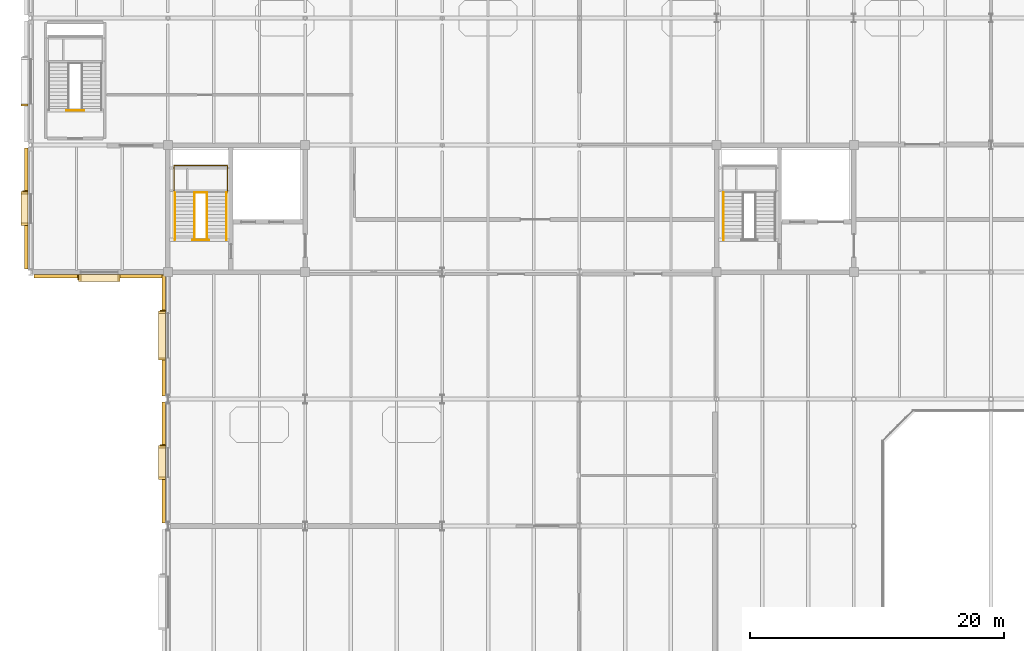
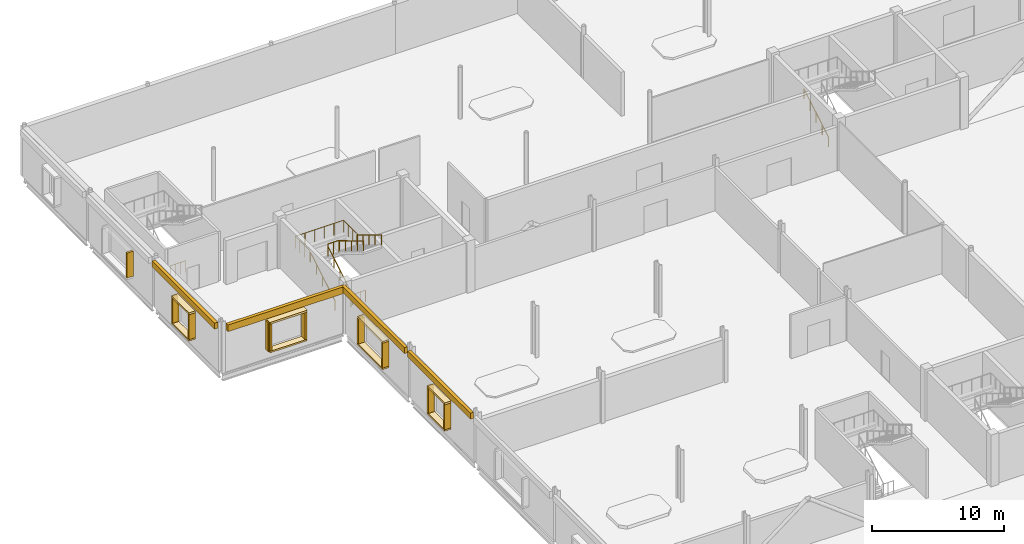
# One storey, part 88 of 92: 21 coverings, 9 railings, 4 shading devices.
"""IFC4 building model written with IfcOpenShell, lengths in metres."""

from ifc_helpers import new_model, si_unit, direction, frame, origin, origin_2d, place, context, subcontext, project, spatial, rectangle, circle, extrude, material, layer, layer_set, type_object, element, save


model = new_model("IFC4")

# Units and contexts
model_context = context("Model", 3, precision=1e-05, world=origin(), true_north=direction((0.0, 1.0)))
body_context = subcontext(model_context, "Body", "Model", "MODEL_VIEW")
ifc_project = project(units=[si_unit("LENGTHUNIT", "METRE"), si_unit("AREAUNIT", "SQUARE_METRE"), si_unit("VOLUMEUNIT", "CUBIC_METRE"), si_unit("PLANEANGLEUNIT", "RADIAN"), si_unit("MASSUNIT", "GRAM", prefix="KILO")], contexts=[model_context])

# Site, building, storey
site_placement = place(None, origin())
site = spatial("IfcSite", under=ifc_project, at=site_placement, CompositionType="ELEMENT")
building_placement = place(site_placement, origin())
building = spatial("IfcBuilding", under=site, at=building_placement, Name="Tasgan Crest Museum", CompositionType="ELEMENT")
storey_placement = place(building_placement, frame((0.0, 0.0, 4.800048828125)))
storey = spatial("IfcBuildingStorey", under=building, at=storey_placement, Name="L01", CompositionType="ELEMENT", Elevation=4.800048828125)

# Coverings
ifc_material_1 = material(Name="Honed Rose-Red Mongolian Granite", Category="masonry")
ifc_layer_1 = layer(ifc_material_1, 0.0400390625, Name="COV-GRANITE-ROSE")
ifc_layer_set_1 = layer_set([ifc_layer_1], Name="Honed Rose-Red Mongolian Granite")
covering_type_1 = type_object("IfcCoveringType", Name="COV-GRANITE-ROSE", PredefinedType="CLADDING", material=ifc_layer_set_1)
for number, where, z_axis, x_axis, name in (
    (1, (-0.5, 95.159912109375, 1.0), (0.0, 0.0, 1.0), (0.0, -1.0, 0.0), "Deep window reveal jamb L01-029"),
    (2, (-0.5, 88.239990234375, 1.0), (0.0, 0.0, 1.0), (0.0, -1.0, 0.0), "Deep window reveal jamb L01-030"),
    (3, (-0.5, 85.760009765625, 1.0), (0.0, 0.0, 1.0), (0.0, -1.0, 0.0), "Deep window reveal jamb L01-030"),
):
    element("IfcCovering", number, at=place(storey_placement, frame(where, z_axis=z_axis, x_axis=x_axis)), inside=storey, type_object=covering_type_1, Name=name, PredefinedType="CLADDING", context=body_context, shape_type="SweptSolid", body=[
        extrude(rectangle(XDim=0.179931640625, YDim=0.550048828125, at=origin_2d()), origin(), (0.0, 0.0, 1.0), 2.300048828125),
    ])
for number, where, z_axis, x_axis, name in (
    (4, (3.860107421875, 81.534912109375, 1.0), (0.0, 0.0, 1.0), (1.0, 0.0, 0.0), "Deep window reveal jamb L01-031"),
    (5, (6.93994140625, 81.534912109375, 1.0), (0.0, 0.0, 1.0), (1.0, 0.0, 0.0), "Deep window reveal jamb L01-031"),
):
    element("IfcCovering", number, at=place(storey_placement, frame(where, z_axis=z_axis, x_axis=x_axis)), inside=storey, type_object=covering_type_1, Name=name, PredefinedType="CLADDING", context=body_context, shape_type="SweptSolid", body=[
        extrude(rectangle(XDim=0.179931640625, YDim=0.550048828125, at=origin_2d()), origin(), (0.0, 0.0, 1.0), 2.5),
    ])
for number, where, z_axis, x_axis, name in (
    (6, (10.3349609375, 78.840087890625, 1.0), (0.0, 0.0, 1.0), (0.0, -1.0, 0.0), "Deep window reveal jamb L01-032"),
    (7, (10.3349609375, 75.159912109375, 1.0), (0.0, 0.0, 1.0), (0.0, -1.0, 0.0), "Deep window reveal jamb L01-032"),
    (8, (10.3349609375, 68.239990234375, 1.0), (0.0, 0.0, 1.0), (0.0, -1.0, 0.0), "Deep window reveal jamb L01-033"),
    (9, (10.3349609375, 65.760009765625, 1.0), (0.0, 0.0, 1.0), (0.0, -1.0, 0.0), "Deep window reveal jamb L01-033"),
):
    element("IfcCovering", number, at=place(storey_placement, frame(where, z_axis=z_axis, x_axis=x_axis)), inside=storey, type_object=covering_type_1, Name=name, PredefinedType="CLADDING", context=body_context, shape_type="SweptSolid", body=[
        extrude(rectangle(XDim=0.179931640625, YDim=0.550048828125, at=origin_2d()), origin(), (0.0, 0.0, 1.0), 2.300048828125),
    ])
ifc_material_2 = material(Name="Honed Buff Limestone", Category="masonry")
ifc_layer_2 = layer(ifc_material_2, 0.044921875, Name="COV-LIMESTONE-BUFF")
ifc_layer_set_2 = layer_set([ifc_layer_2], Name="Honed Buff Limestone")
covering_type_2 = type_object("IfcCoveringType", Name="COV-LIMESTONE-BUFF", PredefinedType="CLADDING", material=ifc_layer_set_2)
covering_1_placement = place(storey_placement, frame((-0.364990234375, 87.0, 3.9599609375), z_axis=(0.0, 0.0, 1.0), x_axis=(0.0, -1.0, 0.0)))
element("IfcCovering", 10, at=covering_1_placement, inside=storey, type_object=covering_type_2, Name="Stone frieze cladding L01", PredefinedType="CLADDING", context=body_context, shape_type="SweptSolid", body=[
    extrude(rectangle(XDim=9.510009765625, YDim=0.280029296875, at=origin_2d()), origin(), (0.0, 0.0, 1.0), 0.550048828125),
])
covering_2_placement = place(storey_placement, frame((-0.5, 87.0, 3.2998046875), z_axis=(0.0, 0.0, 1.0), x_axis=(0.0, -1.0, 0.0)))
element("IfcCovering", 11, at=covering_2_placement, inside=storey, type_object=covering_type_2, Name="Deep window hood L01-030", PredefinedType="CLADDING", context=body_context, shape_type="SweptSolid", body=[
    extrude(rectangle(XDim=2.659912109375, YDim=0.550048828125, at=origin_2d()), origin(), (0.0, 0.0, 1.0), 0.179931640625),
])
covering_3_placement = place(storey_placement, frame((-0.5, 87.0, 0.85986328125), z_axis=(0.0, 0.0, 1.0), x_axis=(0.0, -1.0, 0.0)))
element("IfcCovering", 12, at=covering_3_placement, inside=storey, type_object=covering_type_2, Name="Deep window sill L01-030", PredefinedType="CLADDING", context=body_context, shape_type="SweptSolid", body=[
    extrude(rectangle(XDim=2.659912109375, YDim=0.550048828125, at=origin_2d()), origin(), (0.0, 0.0, 1.0), 0.139892578125),
])
covering_4_placement = place(storey_placement, frame((5.39990234375, 81.669921875, 3.888916015625), z_axis=(0.0, 0.0, 1.0), x_axis=(1.0, 0.0, 0.0)))
element("IfcCovering", 13, at=covering_4_placement, inside=storey, type_object=covering_type_2, Name="Stone frieze cladding L01", PredefinedType="CLADDING", context=body_context, shape_type="SweptSolid", body=[
    extrude(rectangle(XDim=10.31005859375, YDim=0.280029296875, at=origin_2d()), origin(), (0.0, 0.0, 1.0), 0.62109375),
])
covering_5_placement = place(storey_placement, frame((5.39990234375, 81.534912109375, 3.5), z_axis=(0.0, 0.0, 1.0), x_axis=(1.0, 0.0, 0.0)))
element("IfcCovering", 14, at=covering_5_placement, inside=storey, type_object=covering_type_2, Name="Deep window hood L01-031", PredefinedType="CLADDING", context=body_context, shape_type="SweptSolid", body=[
    extrude(rectangle(XDim=3.260009765625, YDim=0.550048828125, at=origin_2d()), origin(), (0.0, 0.0, 1.0), 0.179931640625),
])
covering_6_placement = place(storey_placement, frame((5.39990234375, 81.534912109375, 0.85986328125), z_axis=(0.0, 0.0, 1.0), x_axis=(1.0, 0.0, 0.0)))
element("IfcCovering", 15, at=covering_6_placement, inside=storey, type_object=covering_type_2, Name="Deep window sill L01-031", PredefinedType="CLADDING", context=body_context, shape_type="SweptSolid", body=[
    extrude(rectangle(XDim=3.260009765625, YDim=0.550048828125, at=origin_2d()), origin(), (0.0, 0.0, 1.0), 0.139892578125),
])
covering_7_placement = place(storey_placement, frame((10.469970703125, 77.0, 3.9599609375), z_axis=(0.0, 0.0, 1.0), x_axis=(0.0, -1.0, 0.0)))
element("IfcCovering", 16, at=covering_7_placement, inside=storey, type_object=covering_type_2, Name="Stone frieze cladding L01", PredefinedType="CLADDING", context=body_context, shape_type="SweptSolid", body=[
    extrude(rectangle(XDim=9.510009765625, YDim=0.280029296875, at=origin_2d()), origin(), (0.0, 0.0, 1.0), 0.550048828125),
])
covering_8_placement = place(storey_placement, frame((10.3349609375, 77.0, 3.2998046875), z_axis=(0.0, 0.0, 1.0), x_axis=(0.0, -1.0, 0.0)))
element("IfcCovering", 17, at=covering_8_placement, inside=storey, type_object=covering_type_2, Name="Deep window hood L01-032", PredefinedType="CLADDING", context=body_context, shape_type="SweptSolid", body=[
    extrude(rectangle(XDim=3.860107421875, YDim=0.550048828125, at=origin_2d()), origin(), (0.0, 0.0, 1.0), 0.179931640625),
])
covering_9_placement = place(storey_placement, frame((10.3349609375, 77.0, 0.85986328125), z_axis=(0.0, 0.0, 1.0), x_axis=(0.0, -1.0, 0.0)))
element("IfcCovering", 18, at=covering_9_placement, inside=storey, type_object=covering_type_2, Name="Deep window sill L01-032", PredefinedType="CLADDING", context=body_context, shape_type="SweptSolid", body=[
    extrude(rectangle(XDim=3.860107421875, YDim=0.550048828125, at=origin_2d()), origin(), (0.0, 0.0, 1.0), 0.139892578125),
])
covering_10_placement = place(storey_placement, frame((10.469970703125, 67.0, 3.9599609375), z_axis=(0.0, 0.0, 1.0), x_axis=(0.0, -1.0, 0.0)))
element("IfcCovering", 19, at=covering_10_placement, inside=storey, type_object=covering_type_2, Name="Stone frieze cladding L01", PredefinedType="CLADDING", context=body_context, shape_type="SweptSolid", body=[
    extrude(rectangle(XDim=9.510009765625, YDim=0.280029296875, at=origin_2d()), origin(), (0.0, 0.0, 1.0), 0.550048828125),
])
covering_11_placement = place(storey_placement, frame((10.3349609375, 67.0, 3.2998046875), z_axis=(0.0, 0.0, 1.0), x_axis=(0.0, -1.0, 0.0)))
element("IfcCovering", 20, at=covering_11_placement, inside=storey, type_object=covering_type_2, Name="Deep window hood L01-033", PredefinedType="CLADDING", context=body_context, shape_type="SweptSolid", body=[
    extrude(rectangle(XDim=2.659912109375, YDim=0.550048828125, at=origin_2d()), origin(), (0.0, 0.0, 1.0), 0.179931640625),
])
covering_12_placement = place(storey_placement, frame((10.3349609375, 67.0, 0.85986328125), z_axis=(0.0, 0.0, 1.0), x_axis=(0.0, -1.0, 0.0)))
element("IfcCovering", 21, at=covering_12_placement, inside=storey, type_object=covering_type_2, Name="Deep window sill L01-033", PredefinedType="CLADDING", context=body_context, shape_type="SweptSolid", body=[
    extrude(rectangle(XDim=2.659912109375, YDim=0.550048828125, at=origin_2d()), origin(), (0.0, 0.0, 1.0), 0.139892578125),
])

# Railings
ifc_material_3 = material(Name="Brushed Bronze and Toughened Glass", Category="glass")
railing_type_1 = type_object("IfcRailingType", Name="RL-INT-GUARD-1120", PredefinedType="GUARDRAIL", material=ifc_material_3)
railing_1_placement = place(storey_placement, frame((12.739990234375, 84.52001953125, 0.0)))
element("IfcRailing", 22, at=railing_1_placement, inside=storey, type_object=railing_type_1, Name="North-West Gallery Core floor slot guard L01", PredefinedType="GUARDRAIL", context=body_context, shape_type="SweptSolid", body=[
    extrude(circle(Radius=0.02392578125, at=origin_2d()), frame((0.0, 0.0, 1.09619140625), z_axis=(1.0, 0.0, 0.0), x_axis=(0.0, 1.0, 0.0)), (0.0, 0.0, 1.0), 1.27001953125),
    extrude(circle(Radius=0.02099609375, at=origin_2d()), origin(), (0.0, 0.0, 1.0), 1.072021484375),
    extrude(circle(Radius=0.02099609375, at=origin_2d()), frame((0.42333984375, 0.0, 0.0)), (0.0, 0.0, 1.0), 1.072021484375),
    extrude(circle(Radius=0.02099609375, at=origin_2d()), frame((0.8466796875, 0.0, 0.0)), (0.0, 0.0, 1.0), 1.072021484375),
    extrude(circle(Radius=0.02099609375, at=origin_2d()), frame((1.27001953125, 0.0, 0.0)), (0.0, 0.0, 1.0), 1.072021484375),
])
railing_2_placement = place(storey_placement, frame((12.8798828125, 88.27490234375, 2.39990234375)))
element("IfcRailing", 23, at=railing_2_placement, inside=storey, type_object=railing_type_1, Name="Stair half-landing well guard ST-NW-L01 T1", PredefinedType="GUARDRAIL", context=body_context, shape_type="SweptSolid", body=[
    extrude(circle(Radius=0.02392578125, at=origin_2d()), frame((0.0, 0.0, 1.09619140625), z_axis=(1.0, 0.0, 0.0), x_axis=(0.0, 1.0, 0.0)), (0.0, 0.0, 1.0), 0.990234375),
    extrude(circle(Radius=0.02099609375, at=origin_2d()), origin(), (0.0, 0.0, 1.0), 1.072021484375),
    extrude(circle(Radius=0.02099609375, at=origin_2d()), frame((0.4951171875, 0.0, 0.0)), (0.0, 0.0, 1.0), 1.072021484375),
    extrude(circle(Radius=0.02099609375, at=origin_2d()), frame((0.990234375, 0.0, 0.0)), (0.0, 0.0, 1.0), 1.072021484375),
])
railing_3_placement = place(storey_placement, frame((11.260009765625, 88.294921875, 2.39990234375)))
element("IfcRailing", 24, at=railing_3_placement, inside=storey, type_object=railing_type_1, Name="Stair half-landing perimeter guard ST-NW-L01 T1", PredefinedType="GUARDRAIL", context=body_context, shape_type="SweptSolid", body=[
    extrude(circle(Radius=0.02392578125, at=origin_2d()), frame((0.0, 0.0, 1.09619140625), z_axis=(0.0, 1.0, 0.0), x_axis=(-1.0, 0.0, 0.0)), (0.0, 0.0, 1.0), 2.10009765625),
    extrude(circle(Radius=0.02392578125, at=origin_2d()), frame((0.0, 2.10009765625, 1.09619140625), z_axis=(1.0, 0.0, 0.0), x_axis=(0.0, 1.0, 0.0)), (0.0, 0.0, 1.0), 4.22998046875),
    extrude(circle(Radius=0.02392578125, at=origin_2d()), frame((4.22998046875, 2.10009765625, 1.09619140625), z_axis=(0.0, -1.0, 0.0), x_axis=(1.0, 0.0, 0.0)), (0.0, 0.0, 1.0), 2.10009765625),
    extrude(circle(Radius=0.02099609375, at=origin_2d()), origin(), (0.0, 0.0, 1.0), 1.072021484375),
    extrude(circle(Radius=0.02099609375, at=origin_2d()), frame((0.0, 0.699951171875, 0.0)), (0.0, 0.0, 1.0), 1.072021484375),
    extrude(circle(Radius=0.02099609375, at=origin_2d()), frame((0.0, 1.400146484375, 0.0)), (0.0, 0.0, 1.0), 1.072021484375),
    extrude(circle(Radius=0.02099609375, at=origin_2d()), frame((0.0, 2.10009765625, 0.0)), (0.0, 0.0, 1.0), 1.072021484375),
    extrude(circle(Radius=0.02099609375, at=origin_2d()), frame((0.845947265625, 2.10009765625, 0.0)), (0.0, 0.0, 1.0), 1.072021484375),
    extrude(circle(Radius=0.02099609375, at=origin_2d()), frame((1.69189453125, 2.10009765625, 0.0)), (0.0, 0.0, 1.0), 1.072021484375),
    extrude(circle(Radius=0.02099609375, at=origin_2d()), frame((2.5380859375, 2.10009765625, 0.0)), (0.0, 0.0, 1.0), 1.072021484375),
    extrude(circle(Radius=0.02099609375, at=origin_2d()), frame((3.384033203125, 2.10009765625, 0.0)), (0.0, 0.0, 1.0), 1.072021484375),
    extrude(circle(Radius=0.02099609375, at=origin_2d()), frame((4.22998046875, 2.10009765625, 0.0)), (0.0, 0.0, 1.0), 1.072021484375),
    extrude(circle(Radius=0.02099609375, at=origin_2d()), frame((4.22998046875, 1.400146484375, 0.0)), (0.0, 0.0, 1.0), 1.072021484375),
    extrude(circle(Radius=0.02099609375, at=origin_2d()), frame((4.22998046875, 0.699951171875, 0.0)), (0.0, 0.0, 1.0), 1.072021484375),
    extrude(circle(Radius=0.02099609375, at=origin_2d()), frame((4.22998046875, 0.0, 0.0)), (0.0, 0.0, 1.0), 1.072021484375),
])
railing_4_placement = place(storey_placement, frame((2.820068359375, 94.719970703125, 0.0)))
element("IfcRailing", 25, at=railing_4_placement, inside=storey, type_object=railing_type_1, Name="GALW floor slot guard L01", PredefinedType="GUARDRAIL", context=body_context, shape_type="SweptSolid", body=[
    extrude(circle(Radius=0.02392578125, at=origin_2d()), frame((0.0, 0.0, 1.09619140625), z_axis=(1.0, 0.0, 0.0), x_axis=(0.0, 1.0, 0.0)), (0.0, 0.0, 1.0), 1.35986328125),
    extrude(circle(Radius=0.02099609375, at=origin_2d()), origin(), (0.0, 0.0, 1.0), 1.072021484375),
    extrude(circle(Radius=0.02099609375, at=origin_2d()), frame((0.453369140625, 0.0, 0.0)), (0.0, 0.0, 1.0), 1.072021484375),
    extrude(circle(Radius=0.02099609375, at=origin_2d()), frame((0.906494140625, 0.0, 0.0)), (0.0, 0.0, 1.0), 1.072021484375),
    extrude(circle(Radius=0.02099609375, at=origin_2d()), frame((1.35986328125, 0.0, 0.0)), (0.0, 0.0, 1.0), 1.072021484375),
])
ifc_material_4 = material(Name="Brushed Stainless Steel", Category="steel")
railing_type_2 = type_object("IfcRailingType", Name="RL-STAIR-HAND-920", PredefinedType="HANDRAIL", material=ifc_material_4)
for number, where, name in (
    (26, (11.340087890625, 84.550048828125, 0.17138671875), "Stair handrail STAIR-CORE-NW-L01-F1 L"),
    (27, (12.8798828125, 84.550048828125, 0.17138671875), "Stair handrail STAIR-CORE-NW-L01-F1 R"),
):
    element("IfcRailing", number, at=place(storey_placement, frame(where)), inside=storey, type_object=railing_type_2, Name=name, PredefinedType="HANDRAIL", context=body_context, shape_type="SweptSolid", body=[
        extrude(circle(Radius=0.02392578125, at=origin_2d()), frame((0.0, 0.0, 0.89599609375), z_axis=(0.0, 0.856919398105, 0.515450429384), x_axis=(-1.0, 0.0, 0.0)), (0.0, 0.0, 1.0), 4.323486328125),
        extrude(circle(Radius=0.02099609375, at=origin_2d()), origin(), (0.0, 0.0, 1.0), 0.871826171875),
        extrude(circle(Radius=0.02099609375, at=origin_2d()), frame((0.0, 0.92626953125, 0.55712890625)), (0.0, 0.0, 1.0), 0.871826171875),
        extrude(circle(Radius=0.02099609375, at=origin_2d()), frame((0.0, 1.8525390625, 1.1142578125)), (0.0, 0.0, 1.0), 0.871826171875),
        extrude(circle(Radius=0.02099609375, at=origin_2d()), frame((0.0, 2.778564453125, 1.67138671875)), (0.0, 0.0, 1.0), 0.871826171875),
        extrude(circle(Radius=0.02099609375, at=origin_2d()), frame((0.0, 3.704833984375, 2.228515625)), (0.0, 0.0, 1.0), 0.871826171875),
    ])
for number, where, name in (
    (28, (15.409912109375, 88.2548828125, 2.5712890625), "Stair handrail STAIR-CORE-NW-L01-F2 L"),
    (29, (13.8701171875, 88.2548828125, 2.5712890625), "Stair handrail STAIR-CORE-NW-L01-F2 R"),
):
    element("IfcRailing", number, at=place(storey_placement, frame(where)), inside=storey, type_object=railing_type_2, Name=name, PredefinedType="HANDRAIL", context=body_context, shape_type="SweptSolid", body=[
        extrude(circle(Radius=0.02392578125, at=origin_2d()), frame((0.0, 0.0, 0.89599609375), z_axis=(0.0, -0.856894455432, 0.515491893485), x_axis=(1.0, 0.0, 0.0)), (0.0, 0.0, 1.0), 4.323486328125),
        extrude(circle(Radius=0.02099609375, at=origin_2d()), origin(), (0.0, 0.0, 1.0), 0.871826171875),
        extrude(circle(Radius=0.02099609375, at=origin_2d()), frame((0.0, -0.92626953125, 0.55712890625)), (0.0, 0.0, 1.0), 0.871826171875),
        extrude(circle(Radius=0.02099609375, at=origin_2d()), frame((0.0, -1.8525390625, 1.1142578125)), (0.0, 0.0, 1.0), 0.871826171875),
        extrude(circle(Radius=0.02099609375, at=origin_2d()), frame((0.0, -2.778564453125, 1.671630859375)), (0.0, 0.0, 1.0), 0.871826171875),
        extrude(circle(Radius=0.02099609375, at=origin_2d()), frame((0.0, -3.704833984375, 2.228759765625)), (0.0, 0.0, 1.0), 0.871826171875),
    ])
railing_5_placement = place(storey_placement, frame((54.5400390625, 84.550048828125, 0.17138671875)))
element("IfcRailing", 30, at=railing_5_placement, inside=storey, type_object=railing_type_2, Name="Stair handrail STAIR-CORE-NC-L01-F1 L", PredefinedType="HANDRAIL", context=body_context, shape_type="SweptSolid", body=[
    extrude(circle(Radius=0.02392578125, at=origin_2d()), frame((0.0, 0.0, 0.89599609375), z_axis=(0.0, 0.856919398105, 0.515450429384), x_axis=(-1.0, 0.0, 0.0)), (0.0, 0.0, 1.0), 4.323486328125),
    extrude(circle(Radius=0.02099609375, at=origin_2d()), origin(), (0.0, 0.0, 1.0), 0.871826171875),
    extrude(circle(Radius=0.02099609375, at=origin_2d()), frame((0.0, 0.92626953125, 0.55712890625)), (0.0, 0.0, 1.0), 0.871826171875),
    extrude(circle(Radius=0.02099609375, at=origin_2d()), frame((0.0, 1.8525390625, 1.1142578125)), (0.0, 0.0, 1.0), 0.871826171875),
    extrude(circle(Radius=0.02099609375, at=origin_2d()), frame((0.0, 2.778564453125, 1.67138671875)), (0.0, 0.0, 1.0), 0.871826171875),
    extrude(circle(Radius=0.02099609375, at=origin_2d()), frame((0.0, 3.704833984375, 2.228515625)), (0.0, 0.0, 1.0), 0.871826171875),
])

# Shading devices
ifc_material_5 = material(Name="Anodised Bronze Aluminium", Category="aluminium")
shading_device_type = type_object("IfcShadingDeviceType", Name="SH-FIN-V400", PredefinedType="JALOUSIE", material=ifc_material_5)
shading_device_1_placement = place(storey_placement, frame((-0.43505859375, 88.3701171875, 0.89990234375), z_axis=(0.0, 0.0, 1.0), x_axis=(0.0, -1.0, 0.0)))
element("IfcShadingDevice", 31, at=shading_device_1_placement, inside=storey, type_object=shading_device_type, Name="Solar shading fin L01-030", PredefinedType="JALOUSIE", context=body_context, shape_type="SweptSolid", body=[
    extrude(rectangle(XDim=0.080078125, YDim=0.419921875, at=origin_2d()), origin(), (0.0, 0.0, 1.0), 2.5),
])
shading_device_2_placement = place(storey_placement, frame((3.72998046875, 81.60009765625, 0.89990234375), z_axis=(0.0, 0.0, 1.0), x_axis=(1.0, 0.0, 0.0)))
element("IfcShadingDevice", 32, at=shading_device_2_placement, inside=storey, type_object=shading_device_type, Name="Solar shading fin L01-031", PredefinedType="JALOUSIE", context=body_context, shape_type="SweptSolid", body=[
    extrude(rectangle(XDim=0.080078125, YDim=0.419921875, at=origin_2d()), origin(), (0.0, 0.0, 1.0), 2.699951171875),
])
for number, where, z_axis, x_axis, name in (
    (33, (10.39990234375, 78.969970703125, 0.89990234375), (0.0, 0.0, 1.0), (0.0, -1.0, 0.0), "Solar shading fin L01-032"),
    (34, (10.39990234375, 68.3701171875, 0.89990234375), (0.0, 0.0, 1.0), (0.0, -1.0, 0.0), "Solar shading fin L01-033"),
):
    element("IfcShadingDevice", number, at=place(storey_placement, frame(where, z_axis=z_axis, x_axis=x_axis)), inside=storey, type_object=shading_device_type, Name=name, PredefinedType="JALOUSIE", context=body_context, shape_type="SweptSolid", body=[
        extrude(rectangle(XDim=0.080078125, YDim=0.419921875, at=origin_2d()), origin(), (0.0, 0.0, 1.0), 2.5),
    ])

save(model, "model.ifc")
